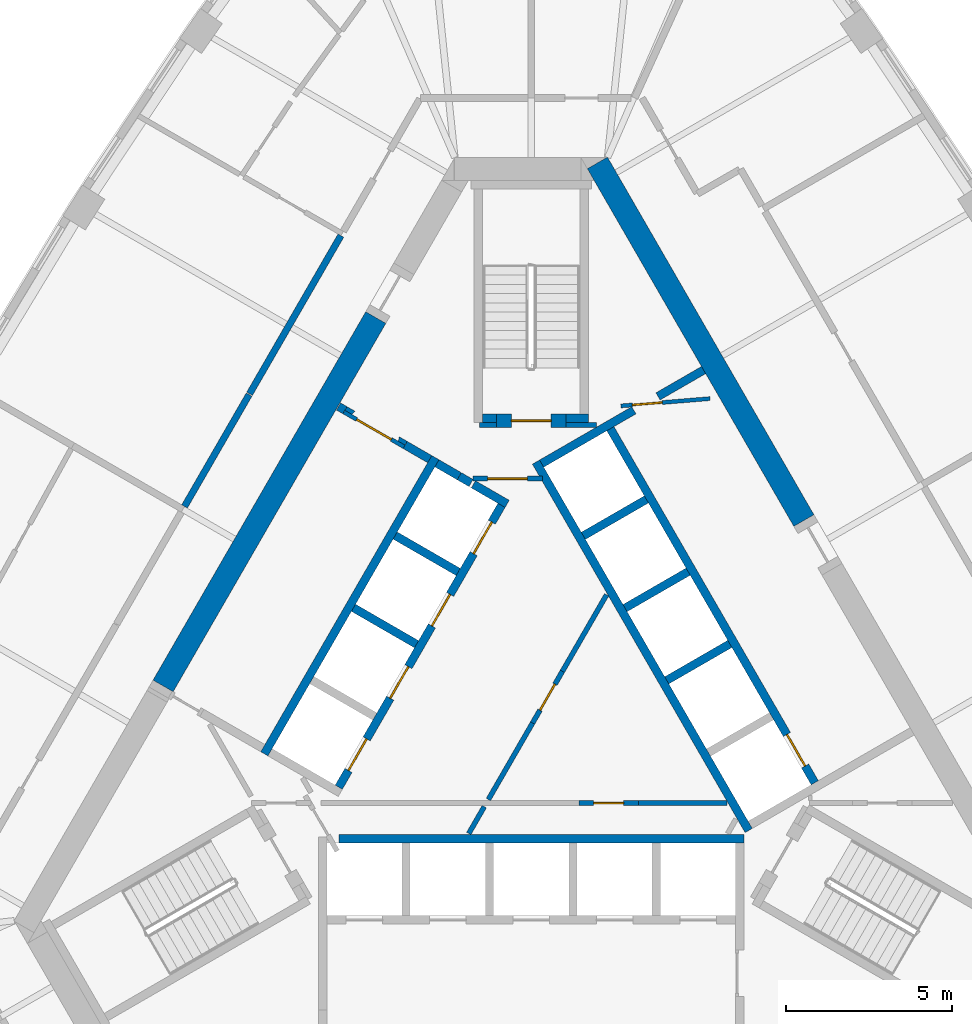
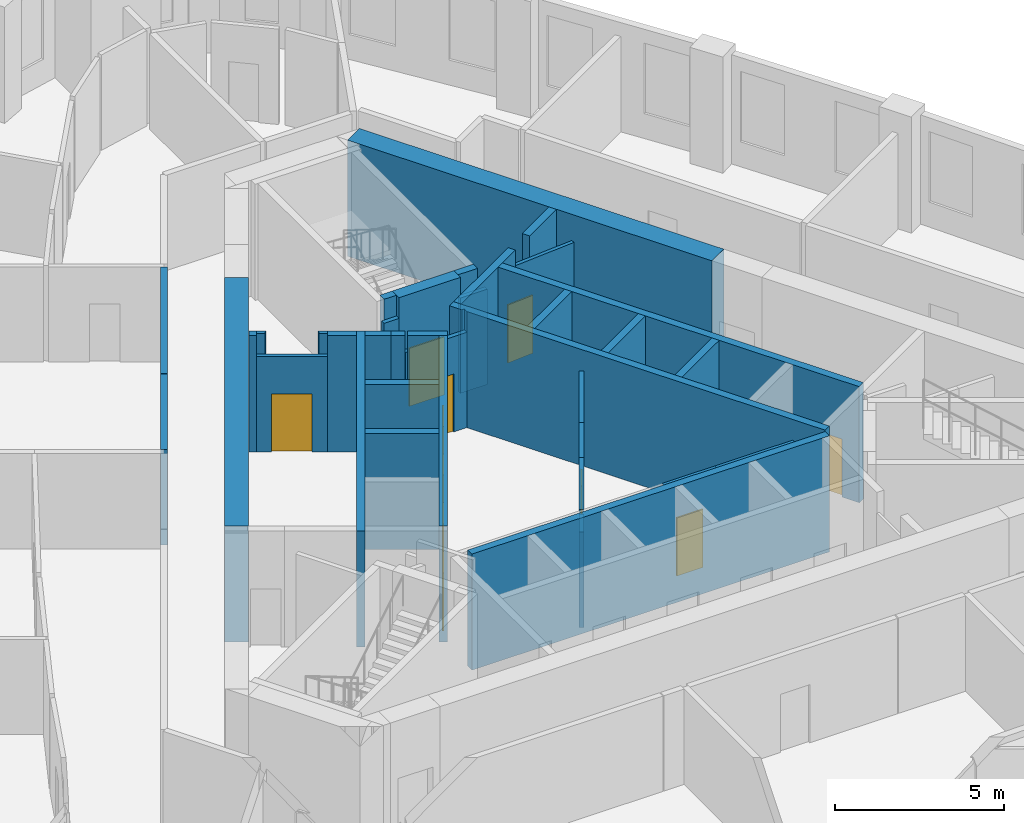
# One storey, part 5 of 10: 37 walls, 11 doors, 11 openings.
"""IFC4 building model written with IfcOpenShell, lengths in metres."""

from ifc_helpers import new_model, si_unit, direction, frame, frame_2d, origin, place, context, subcontext, project, spatial, polyline, rectangle, outline, extrude, material, layer, layer_set, type_object, element, fill, save


model = new_model("IFC4")

# Units and contexts
model_context = context("Model", 3, precision=1e-05, world=origin(), true_north=direction((0.0, 1.0)))
body_context = subcontext(model_context, "Body", "Model", "MODEL_VIEW")
ifc_project = project(units=[si_unit("LENGTHUNIT", "METRE"), si_unit("AREAUNIT", "SQUARE_METRE"), si_unit("VOLUMEUNIT", "CUBIC_METRE"), si_unit("PLANEANGLEUNIT", "RADIAN"), si_unit("MASSUNIT", "GRAM", prefix="KILO")], contexts=[model_context])

# Site, building, storey
site_placement = place(None, origin())
site = spatial("IfcSite", under=ifc_project, at=site_placement, CompositionType="ELEMENT")
building_placement = place(site_placement, origin())
building = spatial("IfcBuilding", under=site, at=building_placement, Name="Mestral Congress Tower", CompositionType="ELEMENT")
storey_placement = place(building_placement, frame((0.0, 0.0, 214.199951171875)))
storey = spatial("IfcBuildingStorey", under=building, at=storey_placement, Name="L50", CompositionType="ELEMENT", Elevation=214.199951171875)

# Walls
ifc_material_1 = material(Name="Fire-rated board partition")
ifc_layer_1 = layer(ifc_material_1, 0.14990234375)
ifc_layer_set_1 = layer_set([ifc_layer_1], Name="Fire-rated board partition")
wall_type_1 = type_object("IfcWallType", Name="Core partition 150", PredefinedType="PARTITIONING", material=ifc_layer_set_1)
wall_1_placement = place(storey_placement, frame((0.94091796875, 1.179443359375, 0.0), z_axis=(0.0, 0.0, 1.0), x_axis=(0.499962406319, 0.866047107418, 0.0)))
element("IfcWall", 1, at=wall_1_placement, inside=storey, type_object=wall_type_1, Name="L50 core wall", PredefinedType="PARTITIONING", context=body_context, shape_type="SweptSolid", body=[
    extrude(rectangle(XDim=2.671630859375, YDim=0.14990234375, at=frame_2d((1.3359375, 0.0))), origin(), (0.0, 0.0, 1.0), 3.449951171875),
])
wall_2_placement = place(storey_placement, frame((-1.41845703125, -2.90673828125, 0.0), z_axis=(0.0, 0.0, 1.0), x_axis=(-0.499978056798, -0.866038072327, 0.0)))
element("IfcWall", 2, at=wall_2_placement, inside=storey, type_object=wall_type_1, Name="L50 core wall", PredefinedType="PARTITIONING", context=body_context, shape_type="SweptSolid", body=[
    extrude(rectangle(XDim=0.93701171875, YDim=0.14990234375, at=frame_2d((0.468505859375, 0.0))), origin(), (0.0, 0.0, 1.0), 3.449951171875),
])
for number, where, z_axis, x_axis, name in (
    (3, (-1.295166015625, -2.693115234375, 0.0), (0.0, 0.0, 1.0), (0.500030943131, 0.866007538022, 0.0), "L50 core wall"),
    (4, (3.23828125, -2.800048828125, 0.0), (0.0, 0.0, 1.0), (1.0, 0.0, 0.0), "L50 core wall"),
):
    element("IfcWall", number, at=place(storey_placement, frame(where, z_axis=z_axis, x_axis=x_axis)), inside=storey, type_object=wall_type_1, Name=name, PredefinedType="PARTITIONING", context=body_context, shape_type="SweptSolid", body=[
        extrude(rectangle(XDim=2.671630859375, YDim=0.14990234375, at=frame_2d((1.3359375, 0.0))), origin(), (0.0, 0.0, 1.0), 3.449951171875),
    ])
wall_3_placement = place(storey_placement, frame((1.050048828125, 8.62548828125, 0.0), z_axis=(0.0, 0.0, 1.0), x_axis=(1.0, 0.0, 0.0)))
element("IfcWall", 5, at=wall_3_placement, inside=storey, type_object=wall_type_1, Name="L50 core wall", PredefinedType="PARTITIONING", context=body_context, shape_type="SweptSolid", body=[
    extrude(rectangle(XDim=0.9287109375, YDim=0.14990234375, at=frame_2d((0.46435546875, 0.0))), origin(), (0.0, 0.0, 1.0), 3.449951171875),
])
wall_4_placement = place(storey_placement, frame((-1.56396484375, 8.62548828125, 0.0), z_axis=(0.0, 0.0, 1.0), x_axis=(1.0, 0.0, 0.0)))
element("IfcWall", 6, at=wall_4_placement, inside=storey, type_object=wall_type_1, Name="L50 core wall", PredefinedType="PARTITIONING", context=body_context, shape_type="SweptSolid", body=[
    extrude(rectangle(XDim=0.513916015625, YDim=0.14990234375, at=frame_2d((0.2568359375, 0.0))), origin(), (0.0, 0.0, 1.0), 3.449951171875),
])

# Wall, opening, door
wall_5_placement = place(storey_placement, frame((-1.765380859375, 7.0, 0.0), z_axis=(0.0, 0.0, 1.0), x_axis=(1.0, 0.0, 0.0)))
wall_5 = element("IfcWall", 7, at=wall_5_placement, inside=storey, type_object=wall_type_1, Name="L50 door wall", PredefinedType="PARTITIONING", context=body_context, shape_type="SweptSolid", body=[
    extrude(rectangle(XDim=2.10009765625, YDim=0.14990234375, at=frame_2d((1.050048828125, 0.0))), origin(), (0.0, 0.0, 1.0), 3.449951171875),
])
opening_1_placement = place(wall_5_placement, frame((0.449951171875, 0.0, 0.0)))
opening_1 = element("IfcOpeningElement", 8, at=opening_1_placement, cuts=wall_5, Name="Opening CD2-FF", PredefinedType="OPENING", context=body_context, shape_type="SweptSolid", body=[
    extrude(rectangle(XDim=1.199951171875, YDim=2.10009765625, at=frame_2d((0.60009765625, 1.050048828125))), frame((0.0, 0.0849609375, 0.0), z_axis=(0.0, -1.0, 0.0), x_axis=(1.0, 0.0, 0.0)), (0.0, 0.0, 1.0), 0.169921875),
])
ifc_material_2 = material(Name="Fire-rated steel door set", Category="steel")
door_type_1 = type_object("IfcDoorType", Name="Core door CD 1200x2100", OperationType="SINGLE_SWING_LEFT", PredefinedType="DOOR", material=ifc_material_2)
door_1_placement = place(opening_1_placement, origin())
door_1 = element("IfcDoor", 9, at=door_1_placement, inside=storey, type_object=door_type_1, Name="Door CD2-FF", OperationType="SINGLE_SWING_LEFT", OverallHeight=2.10009765625, OverallWidth=1.199951171875, PredefinedType="DOOR", context=body_context, shape_type="SweptSolid", body=[
    extrude(rectangle(XDim=1.199951171875, YDim=2.10009765625, at=frame_2d((0.60009765625, 1.050048828125))), frame((0.0, 0.02490234375, 0.0), z_axis=(0.0, -1.0, 0.0), x_axis=(1.0, 0.0, 0.0)), (0.0, 0.0, 1.0), 0.050048828125),
])
fill(opening_1, door_1)

wall_6_placement = place(storey_placement, frame((0.040771484375, -0.37939453125, 0.0), z_axis=(0.0, 0.0, 1.0), x_axis=(0.499961193289, 0.866047807691, 0.0)))
wall_6 = element("IfcWall", 10, at=wall_6_placement, inside=storey, type_object=wall_type_1, Name="L50 door wall", PredefinedType="PARTITIONING", context=body_context, shape_type="SweptSolid", body=[
    extrude(rectangle(XDim=1.800048828125, YDim=0.14990234375, at=frame_2d((0.89990234375, 0.0))), origin(), (0.0, 0.0, 1.0), 3.449951171875),
])
opening_2_placement = place(wall_6_placement, frame((0.449951171875, 0.0, 0.0)))
opening_2 = element("IfcOpeningElement", 11, at=opening_2_placement, cuts=wall_6, Name="Opening SD-HUB0", PredefinedType="OPENING", context=body_context, shape_type="SweptSolid", body=[
    extrude(rectangle(XDim=0.89990234375, YDim=2.10009765625, at=frame_2d((0.449951171875, 1.050048828125))), frame((0.0, 0.0849609375, 0.0), z_axis=(0.0, -1.0, 0.0), x_axis=(1.0, 0.0, 0.0)), (0.0, 0.0, 1.0), 0.169921875),
])
door_type_2 = type_object("IfcDoorType", Name="Core door SR 900x2100", OperationType="SINGLE_SWING_LEFT", PredefinedType="DOOR", material=ifc_material_2)
door_2_placement = place(opening_2_placement, origin())
door_2 = element("IfcDoor", 12, at=door_2_placement, inside=storey, type_object=door_type_2, Name="Door SD-HUB0", OperationType="SINGLE_SWING_LEFT", OverallHeight=2.10009765625, OverallWidth=0.89990234375, PredefinedType="DOOR", context=body_context, shape_type="SweptSolid", body=[
    extrude(rectangle(XDim=0.89990234375, YDim=2.10009765625, at=frame_2d((0.449951171875, 1.050048828125))), frame((0.0, 0.02490234375, 0.0), z_axis=(0.0, -1.0, 0.0), x_axis=(1.0, 0.0, 0.0)), (0.0, 0.0, 1.0), 0.050048828125),
])
fill(opening_2, door_2)

wall_7_placement = place(storey_placement, frame((1.438232421875, -2.800048828125, 0.0), z_axis=(0.0, 0.0, 1.0), x_axis=(1.0, 0.0, 0.0)))
wall_7 = element("IfcWall", 13, at=wall_7_placement, inside=storey, type_object=wall_type_1, Name="L50 door wall", PredefinedType="PARTITIONING", context=body_context, shape_type="SweptSolid", body=[
    extrude(rectangle(XDim=1.800048828125, YDim=0.14990234375, at=frame_2d((0.89990234375, 0.0))), origin(), (0.0, 0.0, 1.0), 3.449951171875),
])
opening_3_placement = place(wall_7_placement, frame((0.449951171875, 0.0, 0.0)))
opening_3 = element("IfcOpeningElement", 14, at=opening_3_placement, cuts=wall_7, Name="Opening SD-HUB2", PredefinedType="OPENING", context=body_context, shape_type="SweptSolid", body=[
    extrude(rectangle(XDim=0.89990234375, YDim=2.10009765625, at=frame_2d((0.449951171875, 1.050048828125))), frame((0.0, 0.0849609375, 0.0), z_axis=(0.0, -1.0, 0.0), x_axis=(1.0, 0.0, 0.0)), (0.0, 0.0, 1.0), 0.169921875),
])
door_3_placement = place(opening_3_placement, origin())
door_3 = element("IfcDoor", 15, at=door_3_placement, inside=storey, type_object=door_type_2, Name="Door SD-HUB2", OperationType="SINGLE_SWING_LEFT", OverallHeight=2.10009765625, OverallWidth=0.89990234375, PredefinedType="DOOR", context=body_context, shape_type="SweptSolid", body=[
    extrude(rectangle(XDim=0.89990234375, YDim=2.10009765625, at=frame_2d((0.449951171875, 1.050048828125))), frame((0.0, 0.02490234375, 0.0), z_axis=(0.0, -1.0, 0.0), x_axis=(1.0, 0.0, 0.0)), (0.0, 0.0, 1.0), 0.050048828125),
])
fill(opening_3, door_3)

ifc_layer_2 = layer(ifc_material_1, 0.1201171875)
ifc_layer_set_2 = layer_set([ifc_layer_2], Name="Fire-rated board partition")
wall_type_2 = type_object("IfcWallType", Name="Core partition 150 door-wall 120", PredefinedType="PARTITIONING", material=ifc_layer_set_2)
wall_8_placement = place(storey_placement, frame((5.3984375, 9.418701171875, 0.0), z_axis=(0.0, 0.0, 1.0), x_axis=(-0.996653416376, -0.081743303248, 0.0)))
wall_8 = element("IfcWall", 16, at=wall_8_placement, inside=storey, type_object=wall_type_2, Name="L50 door wall", PredefinedType="PARTITIONING", context=body_context, shape_type="SweptSolid", body=[
    extrude(rectangle(XDim=2.699951171875, YDim=0.119873046875, at=frame_2d((1.35009765625, 0.0))), origin(), (0.0, 0.0, 1.0), 3.449951171875),
])
opening_4_placement = place(wall_8_placement, frame((1.449951171875, 0.0, 0.0)))
opening_4 = element("IfcOpeningElement", 17, at=opening_4_placement, cuts=wall_8, Name="Opening TD2", PredefinedType="OPENING", context=body_context, shape_type="SweptSolid", body=[
    extrude(rectangle(XDim=0.89990234375, YDim=2.10009765625, at=frame_2d((0.449951171875, 1.050048828125))), frame((0.0, 0.06982421875, 0.0), z_axis=(0.0, -1.0, 0.0), x_axis=(1.0, 0.0, 0.0)), (0.0, 0.0, 1.0), 0.139892578125),
])
door_4_placement = place(opening_4_placement, origin())
door_4 = element("IfcDoor", 18, at=door_4_placement, inside=storey, type_object=door_type_2, Name="Door TD2", OperationType="SINGLE_SWING_LEFT", OverallHeight=2.10009765625, OverallWidth=0.89990234375, PredefinedType="DOOR", context=body_context, shape_type="SweptSolid", body=[
    extrude(rectangle(XDim=0.89990234375, YDim=2.10009765625, at=frame_2d((0.449951171875, 1.050048828125))), frame((0.0, 0.02490234375, 0.0), z_axis=(0.0, -1.0, 0.0), x_axis=(1.0, 0.0, 0.0)), (0.0, 0.0, 1.0), 0.050048828125),
])
fill(opening_4, door_4)

wall_9_placement = place(storey_placement, frame((-5.65869140625, 9.01171875, 0.0), z_axis=(0.0, 0.0, 1.0), x_axis=(0.866009402589, -0.500027713859, 0.0)))
wall_9 = element("IfcWall", 19, at=wall_9_placement, inside=storey, type_object=wall_type_2, Name="L50 door wall", PredefinedType="PARTITIONING", context=body_context, shape_type="SweptSolid", body=[
    extrude(rectangle(XDim=2.10009765625, YDim=0.1201171875, at=frame_2d((1.050048828125, 0.0))), origin(), (0.0, 0.0, 1.0), 3.449951171875),
])
opening_5_placement = place(wall_9_placement, frame((0.449951171875, 0.0, 0.0)))
opening_5 = element("IfcOpeningElement", 20, at=opening_5_placement, cuts=wall_9, Name="Opening LB2-WL2", PredefinedType="OPENING", context=body_context, shape_type="SweptSolid", body=[
    extrude(rectangle(XDim=1.199951171875, YDim=2.10009765625, at=frame_2d((0.60009765625, 1.050048828125))), frame((0.0, 0.070068359375, 0.0), z_axis=(0.0, -1.0, 0.0), x_axis=(1.0, 0.0, 0.0)), (0.0, 0.0, 1.0), 0.14013671875),
])
door_type_3 = type_object("IfcDoorType", Name="Core door LB 1200x2100", OperationType="SINGLE_SWING_LEFT", PredefinedType="DOOR", material=ifc_material_2)
door_5_placement = place(opening_5_placement, origin())
door_5 = element("IfcDoor", 21, at=door_5_placement, inside=storey, type_object=door_type_3, Name="Door LB2-WL2", OperationType="SINGLE_SWING_LEFT", OverallHeight=2.10009765625, OverallWidth=1.199951171875, PredefinedType="DOOR", context=body_context, shape_type="SweptSolid", body=[
    extrude(rectangle(XDim=1.199951171875, YDim=2.10009765625, at=frame_2d((0.60009765625, 1.050048828125))), frame((0.0, 0.02490234375, 0.0), z_axis=(0.0, -1.0, 0.0), x_axis=(1.0, 0.0, 0.0)), (0.0, 0.0, 1.0), 0.050048828125),
])
fill(opening_5, door_5)

# Walls
ifc_material_3 = material(Name="Concrete C60/75", Category="concrete")
ifc_layer_3 = layer(ifc_material_3, 0.699951171875)
ifc_layer_set_3 = layer_set([ifc_layer_3], Name="Concrete C60/75")
wall_type_3 = type_object("IfcWallType", Name="Core wall RC 700", PredefinedType="SOLIDWALL", material=ifc_layer_set_3)
wall_10_placement = place(storey_placement, frame((8.235107421875, 5.736083984375, 0.0), z_axis=(0.0, 0.0, 1.0), x_axis=(-0.499983401189, 0.8660349869, 0.0)))
element("IfcWall", 22, at=wall_10_placement, inside=storey, type_object=wall_type_3, Name="L50 core wall", PredefinedType="SOLIDWALL", context=body_context, shape_type="SweptSolid", body=[
    extrude(rectangle(XDim=12.47216796875, YDim=0.699951171875, at=frame_2d((6.236083984375, 0.0))), origin(), (0.0, 0.0, 1.0), 4.199951171875),
])
wall_11_placement = place(storey_placement, frame((-4.695556640625, 11.866943359375, 0.0), z_axis=(0.0, 0.0, 1.0), x_axis=(-0.500003726532, -0.866023252259, 0.0)))
element("IfcWall", 23, at=wall_11_placement, inside=storey, type_object=wall_type_3, Name="L50 core wall", PredefinedType="SOLIDWALL", context=body_context, shape_type="SweptSolid", body=[
    extrude(rectangle(XDim=12.84814453125, YDim=0.699951171875, at=frame_2d((6.424072265625, 0.0))), origin(), (0.0, 0.0, 1.0), 4.199951171875),
])
ifc_material_4 = material(Name="Dense masonry wall, plastered", Category="masonry")
ifc_layer_4 = layer(ifc_material_4, 0.199951171875)
ifc_layer_set_4 = layer_set([ifc_layer_4], Name="Dense masonry wall, plastered")
wall_type_4 = type_object("IfcWallType", Name="Office tenancy wall 200", PredefinedType="PARTITIONING", material=ifc_layer_set_4)
wall_12_placement = place(storey_placement, frame((-8.522216796875, 9.5390625, 0.0), z_axis=(0.0, 0.0, 1.0), x_axis=(-0.499997012787, -0.866027128446, 0.0)))
element("IfcWall", 24, at=wall_12_placement, inside=storey, type_object=wall_type_4, Name="Tenancy wall", PredefinedType="PARTITIONING", context=body_context, shape_type="SweptSolid", body=[
    extrude(rectangle(XDim=3.89990234375, YDim=0.199951171875, at=frame_2d((1.949951171875, 0.0))), origin(), (0.0, 0.0, 1.0), 3.449951171875),
])
wall_13_placement = place(storey_placement, frame((-5.749755859375, 14.341064453125, 0.0), z_axis=(0.0, 0.0, 1.0), x_axis=(-0.499995817524, -0.866027818524, 0.0)))
element("IfcWall", 25, at=wall_13_placement, inside=storey, type_object=wall_type_4, Name="Tenancy wall", PredefinedType="PARTITIONING", context=body_context, shape_type="SweptSolid", body=[
    extrude(rectangle(XDim=5.5146484375, YDim=0.199951171875, at=frame_2d((2.75732421875, 0.0))), origin(), (0.0, 0.0, 1.0), 3.449951171875),
])
ifc_layer_5 = layer(ifc_material_3, 0.25)
ifc_layer_set_5 = layer_set([ifc_layer_5], Name="Concrete C60/75")
wall_type_5 = type_object("IfcWallType", Name="Shaft wall RC 250", PredefinedType="SOLIDWALL", material=ifc_layer_set_5)
wall_14_placement = place(storey_placement, frame((-5.806396484375, -3.875, 0.0), z_axis=(0.0, 0.0, 1.0), x_axis=(1.0, 0.0, 0.0)))
element("IfcWall", 26, at=wall_14_placement, inside=storey, type_object=wall_type_5, Name="L50 core wall", PredefinedType="SOLIDWALL", context=body_context, shape_type="SweptSolid", body=[
    extrude(rectangle(XDim=12.2314453125, YDim=0.25, at=frame_2d((6.11572265625, 0.0))), origin(), (0.0, 0.0, 1.0), 4.199951171875),
])
placement = place(storey_placement, origin())
element("IfcWall", 27, at=placement, inside=storey, type_object=wall_type_5, Name="L50 core wall", PredefinedType="SOLIDWALL", context=body_context, shape_type="SweptSolid", body=[
    extrude(outline(polyline([(0.33203125, 6.9248046875), (0.334716796875, 6.9248046875), (0.334716796875, 6.925048828125), (0.334716796875, 6.925048828125), (0.334716796875, 7.074951171875), (0.334716796875, 7.074951171875), (0.334716796875, 7.0751953125), (0.245361328125, 7.0751953125), (0.03515625, 7.439208984375), (0.251708984375, 7.564208984375), (0.376708984375, 7.34765625), (1.51171875, 5.3818359375), (1.63671875, 5.165283203125), (2.220947265625, 4.153076171875), (2.771484375, 3.199462890625), (2.896484375, 2.98291015625), (3.13818359375, 2.564208984375), (4.031494140625, 1.01708984375), (4.156494140625, 0.800537109375), (5.29150390625, -1.165283203125), (5.41650390625, -1.3818359375), (6.072998046875, -2.518798828125), (6.551513671875, -3.34765625), (6.676513671875, -3.564208984375), (6.460205078125, -3.689208984375), (0.33203125, 6.9248046875)])), origin(), (0.0, 0.0, 1.0), 4.199951171875),
])
wall_16_placement = place(storey_placement, frame((3.10009765625, 9.064453125, 0.0), z_axis=(0.0, 0.0, 1.0), x_axis=(-0.866030133475, -0.499991807846, 0.0)))
element("IfcWall", 28, at=wall_16_placement, inside=storey, type_object=wall_type_5, Name="L50 core wall", PredefinedType="SOLIDWALL", context=body_context, shape_type="SweptSolid", body=[
    extrude(rectangle(XDim=3.216796875, YDim=0.25, at=frame_2d((1.6083984375, 0.0))), origin(), (0.0, 0.0, 1.0), 4.199951171875),
])
wall_17_placement = place(storey_placement, frame((1.57421875, 5.273681640625, 0.0), z_axis=(0.0, 0.0, 1.0), x_axis=(0.866028486751, 0.499994660107, 0.0)))
element("IfcWall", 29, at=wall_17_placement, inside=storey, type_object=wall_type_5, Name="L50 core wall", PredefinedType="SOLIDWALL", context=body_context, shape_type="SweptSolid", body=[
    extrude(rectangle(XDim=2.19970703125, YDim=0.25, at=frame_2d((1.099853515625, 0.0))), origin(), (0.0, 0.0, 1.0), 4.199951171875),
])
for number, where, z_axis, x_axis, name in (
    (30, (2.833984375, 3.091064453125, 0.0), (0.0, 0.0, 1.0), (0.866008176907, 0.50002983664, 0.0), "L50 core wall"),
    (31, (4.093994140625, 0.90869140625, 0.0), (0.0, 0.0, 1.0), (0.866008176907, 0.50002983664, 0.0), "L50 core wall"),
):
    element("IfcWall", number, at=place(storey_placement, frame(where, z_axis=z_axis, x_axis=x_axis)), inside=storey, type_object=wall_type_5, Name=name, PredefinedType="SOLIDWALL", context=body_context, shape_type="SweptSolid", body=[
        extrude(rectangle(XDim=2.199951171875, YDim=0.25, at=frame_2d((1.10009765625, 0.0))), origin(), (0.0, 0.0, 1.0), 4.199951171875),
    ])
wall_18_placement = place(storey_placement, frame((3.82958984375, 9.485595703125, 0.0), z_axis=(0.0, 0.0, 1.0), x_axis=(0.865986202621, 0.500067892261, 0.0)))
element("IfcWall", 32, at=wall_18_placement, inside=storey, type_object=wall_type_5, Name="L50 core wall", PredefinedType="SOLIDWALL", context=body_context, shape_type="SweptSolid", body=[
    extrude(rectangle(XDim=1.590576171875, YDim=0.25, at=frame_2d((0.79541015625, 0.0))), origin(), (0.0, 0.0, 1.0), 4.199951171875),
])
wall_19_placement = place(storey_placement, frame((-8.06005859375, -1.310546875, 0.0), z_axis=(0.0, 0.0, 1.0), x_axis=(0.50000273126, 0.866023826885, 0.0)))
element("IfcWall", 33, at=wall_19_placement, inside=storey, type_object=wall_type_5, Name="L50 core wall", PredefinedType="SOLIDWALL", context=body_context, shape_type="SweptSolid", body=[
    extrude(rectangle(XDim=10.330078125, YDim=0.25, at=frame_2d((5.1650390625, 0.0))), origin(), (0.0, 0.0, 1.0), 4.199951171875),
])
wall_20_placement = place(storey_placement, frame((-1.818603515625, 6.869873046875, 0.0), z_axis=(0.0, 0.0, 1.0), x_axis=(-0.866294599386, 0.499533449405, 0.0)))
element("IfcWall", 34, at=wall_20_placement, inside=storey, type_object=wall_type_5, Name="L50 core wall", PredefinedType="SOLIDWALL", context=body_context, shape_type="SweptSolid", body=[
    extrude(rectangle(XDim=0.41015625, YDim=0.25, at=frame_2d((0.205078125, 0.0))), origin(), (0.0, 0.0, 1.0), 4.199951171875),
])
wall_21_placement = place(storey_placement, frame((-2.849365234375, 7.46484375, 0.0), z_axis=(0.0, 0.0, 1.0), x_axis=(0.865955664968, -0.500120771724, 0.0)))
element("IfcWall", 35, at=wall_21_placement, inside=storey, type_object=wall_type_5, Name="L50 core wall", PredefinedType="SOLIDWALL", context=body_context, shape_type="SweptSolid", body=[
    extrude(rectangle(XDim=0.778076171875, YDim=0.25, at=frame_2d((0.38916015625, 0.0))), origin(), (0.0, 0.0, 1.0), 4.199951171875),
])
wall_22_placement = place(storey_placement, frame((-0.7275390625, 6.23974609375, 0.0), z_axis=(0.0, 0.0, 1.0), x_axis=(-0.866002680491, 0.500039355833, 0.0)))
element("IfcWall", 36, at=wall_22_placement, inside=storey, type_object=wall_type_5, Name="L50 core wall", PredefinedType="SOLIDWALL", context=body_context, shape_type="SweptSolid", body=[
    extrude(rectangle(XDim=1.17822265625, YDim=0.25, at=frame_2d((0.589111328125, 0.0))), origin(), (0.0, 0.0, 1.0), 4.199951171875),
])
for number, where, z_axis, x_axis, name in (
    (37, (-2.2041015625, 4.182373046875, 0.0), (0.0, 0.0, 1.0), (-0.866008176907, 0.50002983664, 0.0), "L50 core wall"),
    (38, (-5.369384765625, 3.10009765625, 0.0), (0.0, 0.0, 1.0), (0.866008176907, -0.50002983664, 0.0), "L50 core wall"),
):
    element("IfcWall", number, at=place(storey_placement, frame(where, z_axis=z_axis, x_axis=x_axis)), inside=storey, type_object=wall_type_5, Name=name, PredefinedType="SOLIDWALL", context=body_context, shape_type="SweptSolid", body=[
        extrude(rectangle(XDim=2.199951171875, YDim=0.25, at=frame_2d((1.10009765625, 0.0))), origin(), (0.0, 0.0, 1.0), 4.199951171875),
    ])
wall_23_placement = place(storey_placement, frame((-5.62939453125, 9.06982421875, 0.0), z_axis=(0.0, 0.0, 1.0), x_axis=(-0.866185586049, 0.49972245349, 0.0)))
element("IfcWall", 39, at=wall_23_placement, inside=storey, type_object=wall_type_5, Name="L50 core wall", PredefinedType="SOLIDWALL", context=body_context, shape_type="SweptSolid", body=[
    extrude(rectangle(XDim=0.2197265625, YDim=0.25, at=frame_2d((0.10986328125, 0.0))), origin(), (0.0, 0.0, 1.0), 4.199951171875),
])
wall_24_placement = place(storey_placement, frame((-3.808837890625, 8.018798828125, 0.0), z_axis=(0.0, 0.0, 1.0), x_axis=(0.866010229787, -0.500026281214, 0.0)))
element("IfcWall", 40, at=wall_24_placement, inside=storey, type_object=wall_type_5, Name="L50 core wall", PredefinedType="SOLIDWALL", context=body_context, shape_type="SweptSolid", body=[
    extrude(rectangle(XDim=0.85791015625, YDim=0.25, at=frame_2d((0.428955078125, 0.0))), origin(), (0.0, 0.0, 1.0), 4.199951171875),
])
element("IfcWall", 41, at=placement, inside=storey, type_object=wall_type_5, Name="L50 core wall", PredefinedType="SOLIDWALL", context=body_context, shape_type="SweptSolid", body=[
    extrude(outline(polyline([(-3.748291015625, 8.128173828125), (-3.813232421875, 8.015380859375), (-4.026611328125, 8.138671875), (-4.0166015625, 8.156005859375), (-4.007568359375, 8.17333984375), (-4.000244140625, 8.191650390625), (-3.994873046875, 8.21044921875), (-3.991455078125, 8.229736328125), (-3.98974609375, 8.24951171875), (-3.989990234375, 8.267822265625), (-3.748291015625, 8.128173828125)])), origin(), (0.0, 0.0, 1.0), 4.199951171875),
])
element("IfcWall", 42, at=placement, inside=storey, type_object=wall_type_5, Name="L50 core wall", PredefinedType="SOLIDWALL", context=body_context, shape_type="SweptSolid", body=[
    extrude(outline(polyline([(-5.688720703125, 8.959716796875), (-5.690185546875, 8.960693359375), (-5.565185546875, 9.177001953125), (-5.318603515625, 9.03466796875), (-5.334716796875, 9.02587890625), (-5.3505859375, 9.0146484375), (-5.36572265625, 9.001953125), (-5.37939453125, 8.98779296875), (-5.3916015625, 8.972412109375), (-5.402099609375, 8.955810546875), (-5.412109375, 8.938720703125), (-5.628662109375, 9.063720703125), (-5.628662109375, 9.063720703125), (-5.688720703125, 8.959716796875)])), origin(), (0.0, 0.0, 1.0), 4.199951171875),
])

# Wall, opening, door
wall_27_placement = place(storey_placement, frame((8.565185546875, -2.185302734375, 0.0), z_axis=(0.0, 0.0, 1.0), x_axis=(-0.499997954832, 0.866026584559, 0.0)))
wall_27 = element("IfcWall", 43, at=wall_27_placement, inside=storey, type_object=wall_type_5, Name="L50 door wall", PredefinedType="SOLIDWALL", context=body_context, shape_type="SweptSolid", body=[
    extrude(rectangle(XDim=12.35009765625, YDim=0.25, at=frame_2d((6.175048828125, 0.0))), origin(), (0.0, 0.0, 1.0), 4.199951171875),
])
opening_6_placement = place(wall_27_placement, frame((0.5849609375, 0.0, 0.0)))
opening_6 = element("IfcOpeningElement", 44, at=opening_6_placement, cuts=wall_27, Name="Opening LD-NEB1", PredefinedType="OPENING", context=body_context, shape_type="SweptSolid", body=[
    extrude(rectangle(XDim=1.10009765625, YDim=2.10009765625, at=frame_2d((0.550048828125, 1.050048828125))), frame((0.0, 0.135009765625, 0.0), z_axis=(0.0, -1.0, 0.0), x_axis=(1.0, 0.0, 0.0)), (0.0, 0.0, 1.0), 0.27001953125),
])
door_type_4 = type_object("IfcDoorType", Name="Core door LD 1100x2100", OperationType="DOUBLE_DOOR_SLIDING", PredefinedType="DOOR", material=ifc_material_2)
door_6_placement = place(opening_6_placement, origin())
door_6 = element("IfcDoor", 45, at=door_6_placement, inside=storey, type_object=door_type_4, Name="Door LD-NEB1", OperationType="DOUBLE_DOOR_SLIDING", OverallHeight=2.10009765625, OverallWidth=1.10009765625, PredefinedType="DOOR", context=body_context, shape_type="SweptSolid", body=[
    extrude(rectangle(XDim=1.10009765625, YDim=2.10009765625, at=frame_2d((0.550048828125, 1.050048828125))), frame((0.0, 0.02490234375, 0.0), z_axis=(0.0, -1.0, 0.0), x_axis=(1.0, 0.0, 0.0)), (0.0, 0.0, 1.0), 0.050048828125),
])
fill(opening_6, door_6)

# Wall, openings, doors
wall_28_placement = place(storey_placement, frame((-0.898193359375, 6.194091796875, 0.0), z_axis=(0.0, 0.0, 1.0), x_axis=(-0.499996202215, -0.866027596426, 0.0)))
wall_28 = element("IfcWall", 46, at=wall_28_placement, inside=storey, type_object=wall_type_5, Name="L50 door wall", PredefinedType="SOLIDWALL", context=body_context, shape_type="SweptSolid", body=[
    extrude(rectangle(XDim=9.830078125, YDim=0.25, at=frame_2d((4.9150390625, 0.0))), origin(), (0.0, 0.0, 1.0), 4.199951171875),
])
opening_7_placement = place(wall_28_placement, frame((0.5849609375, 0.0, 0.0)))
opening_7 = element("IfcOpeningElement", 47, at=opening_7_placement, cuts=wall_28, Name="Opening LD-NWB1", PredefinedType="OPENING", context=body_context, shape_type="SweptSolid", body=[
    extrude(rectangle(XDim=1.10009765625, YDim=2.10009765625, at=frame_2d((0.550048828125, 1.050048828125))), frame((0.0, 0.135009765625, 0.0), z_axis=(0.0, -1.0, 0.0), x_axis=(1.0, 0.0, 0.0)), (0.0, 0.0, 1.0), 0.27001953125),
])
opening_8_placement = place(wall_28_placement, frame((3.10498046875, 0.0, 0.0)))
opening_8 = element("IfcOpeningElement", 48, at=opening_8_placement, cuts=wall_28, Name="Opening LD-NWB2", PredefinedType="OPENING", context=body_context, shape_type="SweptSolid", body=[
    extrude(rectangle(XDim=1.10009765625, YDim=2.10009765625, at=frame_2d((0.550048828125, 1.050048828125))), frame((0.0, 0.135009765625, 0.0), z_axis=(0.0, -1.0, 0.0), x_axis=(1.0, 0.0, 0.0)), (0.0, 0.0, 1.0), 0.27001953125),
])
opening_9_placement = place(wall_28_placement, frame((5.625, 0.0, 0.0)))
opening_9 = element("IfcOpeningElement", 49, at=opening_9_placement, cuts=wall_28, Name="Opening LD-NWB3", PredefinedType="OPENING", context=body_context, shape_type="SweptSolid", body=[
    extrude(rectangle(XDim=1.10009765625, YDim=2.10009765625, at=frame_2d((0.550048828125, 1.050048828125))), frame((0.0, 0.135009765625, 0.0), z_axis=(0.0, -1.0, 0.0), x_axis=(1.0, 0.0, 0.0)), (0.0, 0.0, 1.0), 0.27001953125),
])
opening_10_placement = place(wall_28_placement, frame((8.14501953125, 0.0, 0.0)))
opening_10 = element("IfcOpeningElement", 50, at=opening_10_placement, cuts=wall_28, Name="Opening LD-NWB4", PredefinedType="OPENING", context=body_context, shape_type="SweptSolid", body=[
    extrude(rectangle(XDim=1.10009765625, YDim=2.10009765625, at=frame_2d((0.550048828125, 1.050048828125))), frame((0.0, 0.135009765625, 0.0), z_axis=(0.0, -1.0, 0.0), x_axis=(1.0, 0.0, 0.0)), (0.0, 0.0, 1.0), 0.27001953125),
])
door_7_placement = place(opening_7_placement, origin())
door_7 = element("IfcDoor", 51, at=door_7_placement, inside=storey, type_object=door_type_4, Name="Door LD-NWB1", OperationType="DOUBLE_DOOR_SLIDING", OverallHeight=2.10009765625, OverallWidth=1.10009765625, PredefinedType="DOOR", context=body_context, shape_type="SweptSolid", body=[
    extrude(rectangle(XDim=1.10009765625, YDim=2.10009765625, at=frame_2d((0.550048828125, 1.050048828125))), frame((0.0, 0.02490234375, 0.0), z_axis=(0.0, -1.0, 0.0), x_axis=(1.0, 0.0, 0.0)), (0.0, 0.0, 1.0), 0.050048828125),
])
fill(opening_7, door_7)
door_8_placement = place(opening_8_placement, origin())
door_8 = element("IfcDoor", 52, at=door_8_placement, inside=storey, type_object=door_type_4, Name="Door LD-NWB2", OperationType="DOUBLE_DOOR_SLIDING", OverallHeight=2.10009765625, OverallWidth=1.10009765625, PredefinedType="DOOR", context=body_context, shape_type="SweptSolid", body=[
    extrude(rectangle(XDim=1.10009765625, YDim=2.10009765625, at=frame_2d((0.550048828125, 1.050048828125))), frame((0.0, 0.02490234375, 0.0), z_axis=(0.0, -1.0, 0.0), x_axis=(1.0, 0.0, 0.0)), (0.0, 0.0, 1.0), 0.050048828125),
])
fill(opening_8, door_8)
door_9_placement = place(opening_9_placement, origin())
door_9 = element("IfcDoor", 53, at=door_9_placement, inside=storey, type_object=door_type_4, Name="Door LD-NWB3", OperationType="DOUBLE_DOOR_SLIDING", OverallHeight=2.10009765625, OverallWidth=1.10009765625, PredefinedType="DOOR", context=body_context, shape_type="SweptSolid", body=[
    extrude(rectangle(XDim=1.10009765625, YDim=2.10009765625, at=frame_2d((0.550048828125, 1.050048828125))), frame((0.0, 0.02490234375, 0.0), z_axis=(0.0, -1.0, 0.0), x_axis=(1.0, 0.0, 0.0)), (0.0, 0.0, 1.0), 0.050048828125),
])
fill(opening_9, door_9)
door_10_placement = place(opening_10_placement, origin())
door_10 = element("IfcDoor", 54, at=door_10_placement, inside=storey, type_object=door_type_4, Name="Door LD-NWB4", OperationType="DOUBLE_DOOR_SLIDING", OverallHeight=2.10009765625, OverallWidth=1.10009765625, PredefinedType="DOOR", context=body_context, shape_type="SweptSolid", body=[
    extrude(rectangle(XDim=1.10009765625, YDim=2.10009765625, at=frame_2d((0.550048828125, 1.050048828125))), frame((0.0, 0.02490234375, 0.0), z_axis=(0.0, -1.0, 0.0), x_axis=(1.0, 0.0, 0.0)), (0.0, 0.0, 1.0), 0.050048828125),
])
fill(opening_10, door_10)

# Walls
ifc_layer_6 = layer(ifc_material_3, 0.25)
ifc_layer_set_6 = layer_set([ifc_layer_6], Name="Concrete C60/75")
wall_type_6 = type_object("IfcWallType", Name="Stair wall RC 250", PredefinedType="SOLIDWALL", material=ifc_layer_set_6)
wall_29_placement = place(storey_placement, frame((1.050048828125, 8.824951171875, 0.0), z_axis=(0.0, 0.0, 1.0), x_axis=(1.0, 0.0, 0.0)))
element("IfcWall", 55, at=wall_29_placement, inside=storey, type_object=wall_type_6, Name="L50 core wall", PredefinedType="SOLIDWALL", context=body_context, shape_type="SweptSolid", body=[
    extrude(rectangle(XDim=0.675048828125, YDim=0.25, at=frame_2d((0.33740234375, 0.0))), origin(), (0.0, 0.0, 1.0), 4.199951171875),
])
wall_30_placement = place(storey_placement, frame((-1.47509765625, 8.824951171875, 0.0), z_axis=(0.0, 0.0, 1.0), x_axis=(1.0, 0.0, 0.0)))
element("IfcWall", 56, at=wall_30_placement, inside=storey, type_object=wall_type_6, Name="L50 core wall", PredefinedType="SOLIDWALL", context=body_context, shape_type="SweptSolid", body=[
    extrude(rectangle(XDim=0.425048828125, YDim=0.25, at=frame_2d((0.21240234375, 0.0))), origin(), (0.0, 0.0, 1.0), 4.199951171875),
])

# Wall, opening, door
ifc_layer_7 = layer(ifc_material_3, 0.39990234375)
ifc_layer_set_7 = layer_set([ifc_layer_7], Name="Concrete C60/75")
wall_type_7 = type_object("IfcWallType", Name="Stair wall RC 250 door-wall 400", PredefinedType="SOLIDWALL", material=ifc_layer_set_7)
wall_31_placement = place(storey_placement, frame((1.050048828125, 8.75, 0.0), z_axis=(0.0, 0.0, 1.0), x_axis=(-1.0, 0.0, 0.0)))
wall_31 = element("IfcWall", 57, at=wall_31_placement, inside=storey, type_object=wall_type_7, Name="L50 door wall", PredefinedType="SOLIDWALL", context=body_context, shape_type="SweptSolid", body=[
    extrude(rectangle(XDim=2.10009765625, YDim=0.39990234375, at=frame_2d((1.050048828125, 0.0))), origin(), (0.0, 0.0, 1.0), 4.199951171875),
])
opening_11_placement = place(wall_31_placement, frame((0.449951171875, 0.0, 0.0)))
opening_11 = element("IfcOpeningElement", 58, at=opening_11_placement, cuts=wall_31, Name="Opening ST-D2", PredefinedType="OPENING", context=body_context, shape_type="SweptSolid", body=[
    extrude(rectangle(XDim=1.199951171875, YDim=2.10009765625, at=frame_2d((0.60009765625, 1.050048828125))), frame((0.0, 0.2099609375, 0.0), z_axis=(0.0, -1.0, 0.0), x_axis=(1.0, 0.0, 0.0)), (0.0, 0.0, 1.0), 0.419921875),
])
door_type_5 = type_object("IfcDoorType", Name="Core door ST 1200x2100", OperationType="SINGLE_SWING_LEFT", PredefinedType="DOOR", material=ifc_material_2)
door_11_placement = place(opening_11_placement, origin())
door_11 = element("IfcDoor", 59, at=door_11_placement, inside=storey, type_object=door_type_5, Name="Door ST-D2", OperationType="SINGLE_SWING_LEFT", OverallHeight=2.10009765625, OverallWidth=1.199951171875, PredefinedType="DOOR", context=body_context, shape_type="SweptSolid", body=[
    extrude(rectangle(XDim=1.199951171875, YDim=2.10009765625, at=frame_2d((0.60009765625, 1.050048828125))), frame((0.0, 0.02490234375, 0.0), z_axis=(0.0, -1.0, 0.0), x_axis=(1.0, 0.0, 0.0)), (0.0, 0.0, 1.0), 0.050048828125),
])
fill(opening_11, door_11)

save(model, "model.ifc")
